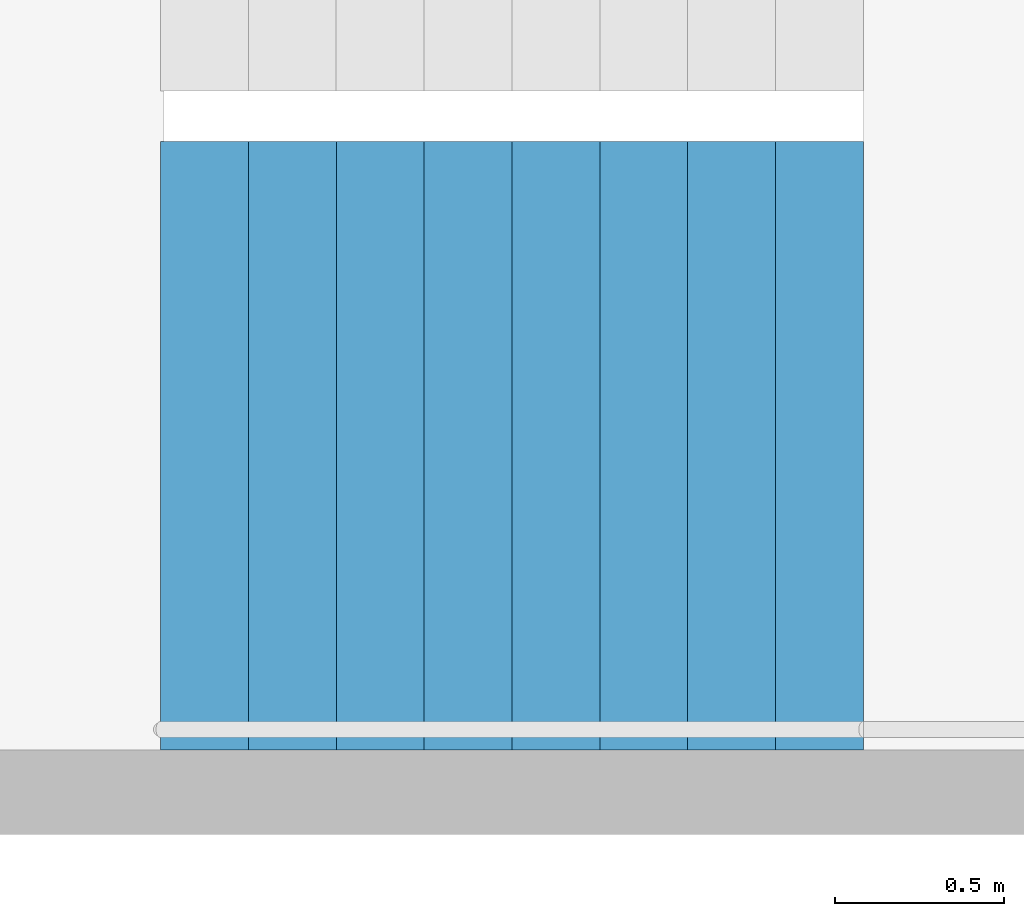
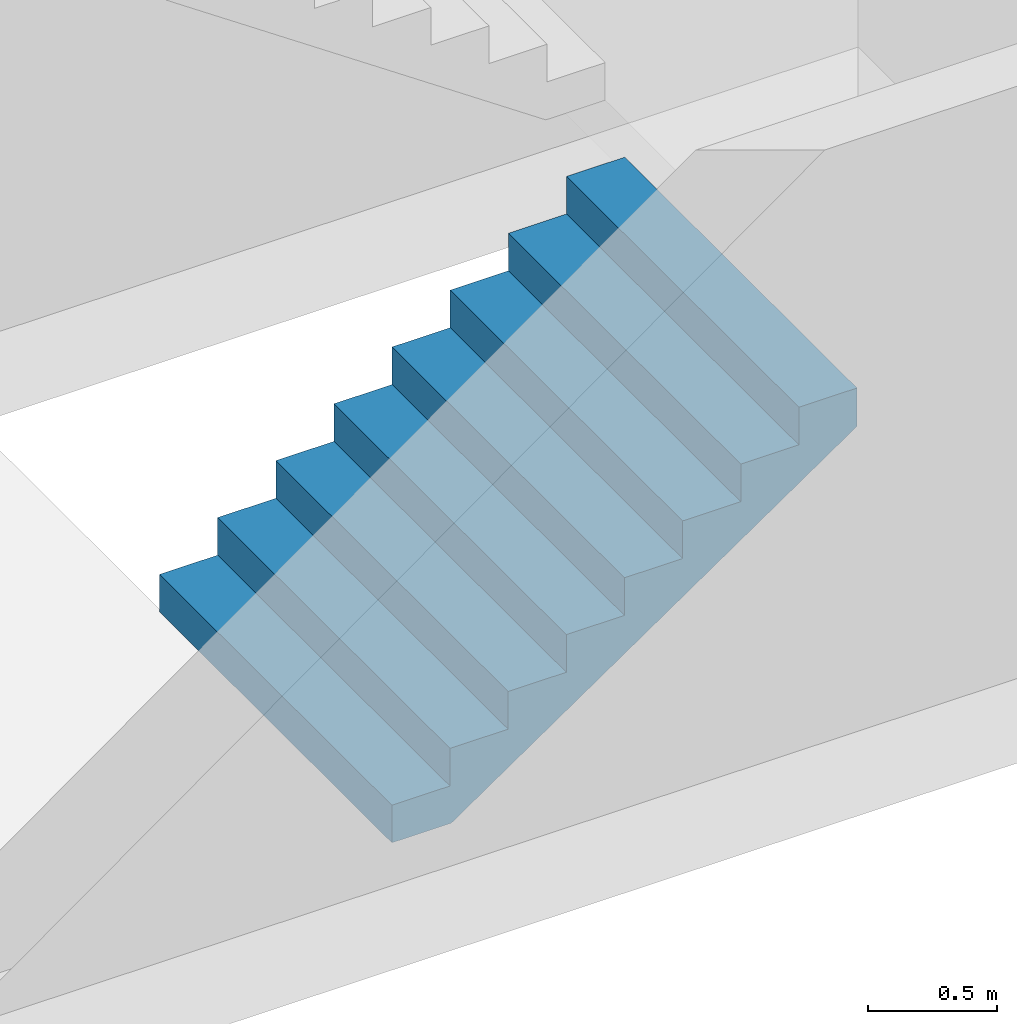
# One storey, part 23 of 29: 1 stair flight, 1 element without a shape of its own.
"""IFC4 building model written with IfcOpenShell, lengths in metres."""

import ifcopenshell
import ifcopenshell.guid

model = None  # the IFC model being written
_history = None  # IfcOwnerHistory: only IFC2X3 demands one
_inside = {}  # id of a spatial element -> (the spatial element, [elements in it])
_under = {}  # id of a project, library or spatial element -> (it, [spatial elements below it])
_declared = {}  # id of a project -> (the project, [libraries it declares])
_typed = {}  # id of a type object -> (the type object, [elements of that type])
_made_of = {}  # id of a material, layer set ... -> (it, [elements and type objects made of it])


def new_model(schema):
    """Start an empty IFC model of exactly this schema.

    Asked for "IFC4X3", IfcOpenShell would pick the latest addendum, in which some entities
    have other attributes; the version numbers below select the first issue.
    IFC2X3 requires an IfcOwnerHistory on every rooted entity: one is made here for all.
    """
    global model, _history
    if schema == "IFC4X3":
        model = ifcopenshell.file(schema_version=(4, 3, 0, 0))
    else:
        model = ifcopenshell.file(schema=schema)
    _inside.clear()
    _under.clear()
    _declared.clear()
    _typed.clear()
    _made_of.clear()
    _history = None
    if model.schema == "IFC2X3":
        org = make("IfcOrganization", Name="unknown")
        user = make(
            "IfcPersonAndOrganization",
            ThePerson=make("IfcPerson", FamilyName="unknown"),
            TheOrganization=org,
        )
        app = make(
            "IfcApplication",
            ApplicationDeveloper=org,
            Version="unknown",
            ApplicationFullName="unknown",
            ApplicationIdentifier="unknown",
        )
        _history = make(
            "IfcOwnerHistory",
            OwningUser=user,
            OwningApplication=app,
            ChangeAction="ADDED",
            CreationDate=0,
        )
    return model


def make(cls, **values):
    """One entity of the class cls with the attributes given. An attribute that is None is left unset."""
    return model.create_entity(
        cls, **{name: value for name, value in values.items() if value is not None}
    )


def rooted(cls, **values):
    """An entity with a GlobalId (a new one), such as an element, a storey or a relation."""
    return make(cls, GlobalId=ifcopenshell.guid.new(), OwnerHistory=_history, **values)


def si_unit(unit_type, name, prefix=None):
    """IfcSIUnit, for example si_unit("LENGTHUNIT", "METRE", prefix="MILLI")."""
    return make("IfcSIUnit", UnitType=unit_type, Prefix=prefix, Name=name)


def assignment(units):
    """IfcUnitAssignment: the units of a project."""
    return None if units is None else make("IfcUnitAssignment", Units=units)


def point(xyz):
    """IfcCartesianPoint."""
    return None if xyz is None else make("IfcCartesianPoint", Coordinates=xyz)


def direction(xyz):
    """IfcDirection."""
    return None if xyz is None else make("IfcDirection", DirectionRatios=xyz)


def frame(location, z_axis=None, x_axis=None):
    """IfcAxis2Placement3D, a coordinate frame: its origin and axes. An axis left out is left unset."""
    return make(
        "IfcAxis2Placement3D",
        Location=point(location),
        Axis=direction(z_axis),
        RefDirection=direction(x_axis),
    )


def origin():
    """The frame at (0, 0, 0) with its axes left unset."""
    return frame((0.0, 0.0, 0.0))


def place(relative_to, where):
    """IfcLocalPlacement: puts the frame where relative to a parent placement (None: the world)."""
    return make(
        "IfcLocalPlacement", PlacementRelTo=relative_to, RelativePlacement=where
    )


def context(
    kind, dimensions, precision=None, world=None, true_north=None, identifier=None
):
    """IfcGeometricRepresentationContext, for example the 3D "Model" context."""
    return make(
        "IfcGeometricRepresentationContext",
        ContextIdentifier=identifier,
        ContextType=kind,
        CoordinateSpaceDimension=dimensions,
        Precision=precision,
        WorldCoordinateSystem=world,
        TrueNorth=true_north,
    )


def subcontext(parent, identifier, kind, view, scale=None):
    """IfcGeometricRepresentationSubContext, for example "Body" below "Model"."""
    return make(
        "IfcGeometricRepresentationSubContext",
        ContextIdentifier=identifier,
        ContextType=kind,
        ParentContext=parent,
        TargetScale=scale,
        TargetView=view,
    )


def project(units=None, contexts=None):
    """IfcProject with its units and contexts."""
    return rooted(
        "IfcProject",
        Name="project",
        RepresentationContexts=contexts,
        UnitsInContext=assignment(units),
    )


def spatial(cls, under=None, at=None, **own):
    """A site, building, storey or space (cls), placed at a placement, below another one or the project."""
    s = rooted(cls, ObjectPlacement=at, **own)
    if under is not None:
        _under.setdefault(under.id(), (under, []))[1].append(s)
    return s


def point_list(points):
    """IfcCartesianPointList2D or 3D."""
    cls = (
        "IfcCartesianPointList2D" if len(points[0]) == 2 else "IfcCartesianPointList3D"
    )
    return make(cls, CoordList=points)


def triangles(points, corners, closed=None, point_numbers=None):
    """IfcTriangulatedFaceSet: each triangle names its three corners, points numbered from 1."""
    return make(
        "IfcTriangulatedFaceSet",
        Coordinates=point_list(points),
        Closed=closed,
        CoordIndex=corners,
        PnIndex=point_numbers,
    )


def shape(context_of_items, identifier, shape_type, items):
    """IfcShapeRepresentation: the items that make up one representation, for example the "Body"."""
    return make(
        "IfcShapeRepresentation",
        ContextOfItems=context_of_items,
        RepresentationIdentifier=identifier,
        RepresentationType=shape_type,
        Items=items,
    )


def material(Name=None, Category=None):
    """IfcMaterial."""
    return make("IfcMaterial", Name=Name, Category=Category)


def made_of(thing, what):
    """Note that an element or type object is made of a material, layer set ...; save() writes the relation."""
    if what is not None:
        _made_of.setdefault(what.id(), (what, []))[1].append(thing)
    return thing


def type_object(cls, material=None, **own):
    """A type object (cls), such as IfcWallType, which elements share."""
    return made_of(rooted(cls, **own), material)


def element(
    cls,
    number,
    at=None,
    inside=None,
    cuts=None,
    type_object=None,
    material=None,
    context=None,
    identifier="Body",
    shape_type=None,
    held_by="IfcProductDefinitionShape",
    body=None,
    shapes=None,
    **own,
):
    """One element of the class cls, such as IfcWall. Its Tag is "e" and its number.

    at: its placement. inside: the storey or other place that contains it. cuts: it is an
    opening in that element (IfcRelVoidsElement). A single representation is given by context,
    identifier, shape_type and body (its items); several are given by shapes. held_by: the class
    of the entity that holds the representations. save() writes the other relations.
    """
    e = rooted(cls, Tag="e%d" % number, ObjectPlacement=at, **own)
    if body is not None:
        shapes = [shape(context, identifier, shape_type, body)]
    if shapes is not None:
        e.Representation = make(held_by, Representations=shapes)
    if inside is not None:
        _inside.setdefault(inside.id(), (inside, []))[1].append(e)
    if cuts is not None:
        rooted(
            "IfcRelVoidsElement", RelatingBuildingElement=cuts, RelatedOpeningElement=e
        )
    if type_object is not None:
        _typed.setdefault(type_object.id(), (type_object, []))[1].append(e)
    return made_of(e, material)


def aggregate(whole, parts):
    """IfcRelAggregates: a whole, such as a stair, and the parts it consists of."""
    return rooted("IfcRelAggregates", RelatingObject=whole, RelatedObjects=parts)


def save(model, path):
    """Write the relations noted so far, then the file.

    IfcRelAggregates (storeys below a building ...), IfcRelContainedInSpatialStructure (elements
    in a storey), IfcRelDefinesByType, IfcRelAssociatesMaterial and IfcRelDeclares: one each for
    every whole, place, type object, material and project.
    """
    for whole, parts in _under.values():
        aggregate(whole, parts)
    for where, things in _inside.values():
        rooted(
            "IfcRelContainedInSpatialStructure",
            RelatedElements=things,
            RelatingStructure=where,
        )
    for kind, things in _typed.values():
        rooted("IfcRelDefinesByType", RelatedObjects=things, RelatingType=kind)
    for what, things in _made_of.values():
        rooted("IfcRelAssociatesMaterial", RelatedObjects=things, RelatingMaterial=what)
    for by, libraries in _declared.values():
        rooted("IfcRelDeclares", RelatingContext=by, RelatedDefinitions=libraries)
    model.write(path)


model = new_model("IFC4")

# Units and contexts
model_context = context("Model", 3, precision=1e-05, world=origin(), true_north=direction((0.0, 1.0)))
body_context = subcontext(model_context, "Body", "Model", "MODEL_VIEW")
ifc_project = project(units=[si_unit("LENGTHUNIT", "METRE"), si_unit("AREAUNIT", "SQUARE_METRE"), si_unit("VOLUMEUNIT", "CUBIC_METRE"), si_unit("PLANEANGLEUNIT", "RADIAN"), si_unit("MASSUNIT", "GRAM", prefix="KILO")], contexts=[model_context])

# Site, building, storey
site_placement = place(None, origin())
site = spatial("IfcSite", under=ifc_project, at=site_placement, CompositionType="ELEMENT")
building_placement = place(site_placement, origin())
building = spatial("IfcBuilding", under=site, at=building_placement, Name="Hakoniwa Tower and Hamabe Station Hall", CompositionType="ELEMENT")
storey_placement = place(building_placement, frame((0.0, 0.0, 55.0)))
storey = spatial("IfcBuildingStorey", under=building, at=storey_placement, Name="L15", CompositionType="ELEMENT", Elevation=55.0)

# Stair, stair flight
ifc_material_1 = material(Name="Concrete C40", Category="concrete")
stair_type = type_object("IfcStairType", Name="ESCAPE STAIR 1800", PredefinedType="HALF_TURN_STAIR", material=ifc_material_1)
stair_placement = place(storey_placement, origin())
stair = element("IfcStair", 1, at=stair_placement, inside=storey, type_object=stair_type, Name="Escape stair ST-1 L15", PredefinedType="HALF_TURN_STAIR")
ifc_material_2 = material(Name="Concrete C40", Category="concrete")
stair_flight_type = type_object("IfcStairFlightType", Name="STAIR FLIGHT 1800", PredefinedType="STRAIGHT", material=ifc_material_2)
stair_flight_placement = place(storey_placement, frame((-24.39990234375, 4.64990234375, 0.0), z_axis=(0.0, 0.0, 1.0), x_axis=(1.0, 0.0, 0.0)))
stair_flight = element("IfcStairFlight", 2, at=stair_flight_placement, type_object=stair_flight_type, Name="ST-1 flight 1", NumberOfRisers=9, NumberOfTreads=8, PredefinedType="STRAIGHT", RiserHeight=0.177777778, TreadLength=0.26, context=body_context, shape_type="Tessellation", body=[
    triangles([(0.0, 0.89990234375, 0.0), (0.260009765625, 0.89990234375, 0.0), (0.265625, 0.89990234375, 0.0), (0.52001953125, 0.89990234375, 0.174072265625), (0.780029296875, 0.89990234375, 0.351806640625), (1.0400390625, 0.89990234375, 0.529541015625), (1.300048828125, 0.89990234375, 0.707275390625), (1.56005859375, 0.89990234375, 0.885009765625), (1.820068359375, 0.89990234375, 1.062744140625), (2.080078125, 0.89990234375, 1.24072265625), (2.080078125, 0.89990234375, 1.422119140625), (1.820068359375, 0.89990234375, 1.422119140625), (1.820068359375, 0.89990234375, 1.244384765625), (1.56005859375, 0.89990234375, 1.244384765625), (1.56005859375, 0.89990234375, 1.066650390625), (1.300048828125, 0.89990234375, 1.066650390625), (1.300048828125, 0.89990234375, 0.888916015625), (1.0400390625, 0.89990234375, 0.888916015625), (1.0400390625, 0.89990234375, 0.711181640625), (0.780029296875, 0.89990234375, 0.711181640625), (0.780029296875, 0.89990234375, 0.533447265625), (0.52001953125, 0.89990234375, 0.533447265625), (0.52001953125, 0.89990234375, 0.35546875), (0.265625, 0.89990234375, 0.35546875), (0.260009765625, 0.89990234375, 0.35546875), (0.260009765625, 0.89990234375, 0.177734375), (0.0, 0.89990234375, 0.177734375), (0.0, 0.06005859375, 0.0), (0.260009765625, 0.06005859375, 0.0), (0.265625, 0.06005859375, 0.0), (0.52001953125, 0.06005859375, 0.174072265625), (0.780029296875, 0.06005859375, 0.351806640625), (1.0400390625, 0.06005859375, 0.529541015625), (1.300048828125, 0.06005859375, 0.707275390625), (1.56005859375, 0.06005859375, 0.885009765625), (1.820068359375, 0.06005859375, 1.062744140625), (2.080078125, 0.06005859375, 1.24072265625), (2.080078125, 0.06005859375, 1.422119140625), (1.820068359375, 0.06005859375, 1.422119140625), (1.820068359375, 0.06005859375, 1.244384765625), (1.56005859375, 0.06005859375, 1.244384765625), (1.56005859375, 0.06005859375, 1.066650390625), (1.300048828125, 0.06005859375, 1.066650390625), (1.300048828125, 0.06005859375, 0.888916015625), (1.0400390625, 0.06005859375, 0.888916015625), (1.0400390625, 0.06005859375, 0.711181640625), (0.780029296875, 0.06005859375, 0.711181640625), (0.780029296875, 0.06005859375, 0.533447265625), (0.52001953125, 0.06005859375, 0.533447265625), (0.52001953125, 0.06005859375, 0.35546875), (0.265625, 0.06005859375, 0.35546875), (0.260009765625, 0.06005859375, 0.35546875), (0.260009765625, 0.06005859375, 0.177734375), (0.0, 0.06005859375, 0.177734375), (0.0, 0.04296875, 0.0), (0.260009765625, 0.04296875, 0.0), (0.265625, 0.04296875, 0.0), (0.52001953125, 0.04296875, 0.174072265625), (0.780029296875, 0.04296875, 0.351806640625), (1.0400390625, 0.04296875, 0.529541015625), (1.300048828125, 0.04296875, 0.707275390625), (1.56005859375, 0.04296875, 0.885009765625), (1.820068359375, 0.04296875, 1.062744140625), (2.080078125, 0.04296875, 1.24072265625), (2.080078125, 0.04296875, 1.422119140625), (1.820068359375, 0.04296875, 1.422119140625), (1.820068359375, 0.04296875, 1.244384765625), (1.56005859375, 0.04296875, 1.244384765625), (1.56005859375, 0.04296875, 1.066650390625), (1.300048828125, 0.04296875, 1.066650390625), (1.300048828125, 0.04296875, 0.888916015625), (1.0400390625, 0.04296875, 0.888916015625), (1.0400390625, 0.04296875, 0.711181640625), (0.780029296875, 0.04296875, 0.711181640625), (0.780029296875, 0.04296875, 0.533447265625), (0.52001953125, 0.04296875, 0.533447265625), (0.52001953125, 0.04296875, 0.35546875), (0.265625, 0.04296875, 0.35546875), (0.260009765625, 0.04296875, 0.35546875), (0.260009765625, 0.04296875, 0.177734375), (0.0, 0.04296875, 0.177734375), (0.0, 0.025634765625, 0.0), (0.260009765625, 0.025634765625, 0.0), (0.265625, 0.025634765625, 0.0), (0.52001953125, 0.025634765625, 0.174072265625), (0.780029296875, 0.025634765625, 0.351806640625), (1.0400390625, 0.025634765625, 0.529541015625), (1.300048828125, 0.025634765625, 0.707275390625), (1.56005859375, 0.025634765625, 0.885009765625), (1.820068359375, 0.025634765625, 1.062744140625), (2.080078125, 0.025634765625, 1.24072265625), (2.080078125, 0.025634765625, 1.422119140625), (1.820068359375, 0.025634765625, 1.422119140625), (1.820068359375, 0.025634765625, 1.244384765625), (1.56005859375, 0.025634765625, 1.244384765625), (1.56005859375, 0.025634765625, 1.066650390625), (1.300048828125, 0.025634765625, 1.066650390625), (1.300048828125, 0.025634765625, 0.888916015625), (1.0400390625, 0.025634765625, 0.888916015625), (1.0400390625, 0.025634765625, 0.711181640625), (0.780029296875, 0.025634765625, 0.711181640625), (0.780029296875, 0.025634765625, 0.533447265625), (0.52001953125, 0.025634765625, 0.533447265625), (0.52001953125, 0.025634765625, 0.35546875), (0.265625, 0.025634765625, 0.35546875), (0.260009765625, 0.025634765625, 0.35546875), (0.260009765625, 0.025634765625, 0.177734375), (0.0, 0.025634765625, 0.177734375), (0.0, 0.008544921875, 0.0), (0.260009765625, 0.008544921875, 0.0), (0.265625, 0.008544921875, 0.0), (0.52001953125, 0.008544921875, 0.174072265625), (0.780029296875, 0.008544921875, 0.351806640625), (1.0400390625, 0.008544921875, 0.529541015625), (1.300048828125, 0.008544921875, 0.707275390625), (1.56005859375, 0.008544921875, 0.885009765625), (1.820068359375, 0.008544921875, 1.062744140625), (2.080078125, 0.008544921875, 1.24072265625), (2.080078125, 0.008544921875, 1.422119140625), (1.820068359375, 0.008544921875, 1.422119140625), (1.820068359375, 0.008544921875, 1.244384765625), (1.56005859375, 0.008544921875, 1.244384765625), (1.56005859375, 0.008544921875, 1.066650390625), (1.300048828125, 0.008544921875, 1.066650390625), (1.300048828125, 0.008544921875, 0.888916015625), (1.0400390625, 0.008544921875, 0.888916015625), (1.0400390625, 0.008544921875, 0.711181640625), (0.780029296875, 0.008544921875, 0.711181640625), (0.780029296875, 0.008544921875, 0.533447265625), (0.52001953125, 0.008544921875, 0.533447265625), (0.52001953125, 0.008544921875, 0.35546875), (0.265625, 0.008544921875, 0.35546875), (0.260009765625, 0.008544921875, 0.35546875), (0.260009765625, 0.008544921875, 0.177734375), (0.0, 0.008544921875, 0.177734375), (0.0, -0.008544921875, 0.0), (0.260009765625, -0.008544921875, 0.0), (0.265625, -0.008544921875, 0.0), (0.52001953125, -0.008544921875, 0.174072265625), (0.780029296875, -0.008544921875, 0.351806640625), (1.0400390625, -0.008544921875, 0.529541015625), (1.300048828125, -0.008544921875, 0.707275390625), (1.56005859375, -0.008544921875, 0.885009765625), (1.820068359375, -0.008544921875, 1.062744140625), (2.080078125, -0.008544921875, 1.24072265625), (2.080078125, -0.008544921875, 1.422119140625), (1.820068359375, -0.008544921875, 1.422119140625), (1.820068359375, -0.008544921875, 1.244384765625), (1.56005859375, -0.008544921875, 1.244384765625), (1.56005859375, -0.008544921875, 1.066650390625), (1.300048828125, -0.008544921875, 1.066650390625), (1.300048828125, -0.008544921875, 0.888916015625), (1.0400390625, -0.008544921875, 0.888916015625), (1.0400390625, -0.008544921875, 0.711181640625), (0.780029296875, -0.008544921875, 0.711181640625), (0.780029296875, -0.008544921875, 0.533447265625), (0.52001953125, -0.008544921875, 0.533447265625), (0.52001953125, -0.008544921875, 0.35546875), (0.265625, -0.008544921875, 0.35546875), (0.260009765625, -0.008544921875, 0.35546875), (0.260009765625, -0.008544921875, 0.177734375), (0.0, -0.008544921875, 0.177734375), (0.0, -0.025634765625, 0.0), (0.260009765625, -0.025634765625, 0.0), (0.265625, -0.025634765625, 0.0), (0.52001953125, -0.025634765625, 0.174072265625), (0.780029296875, -0.025634765625, 0.351806640625), (1.0400390625, -0.025634765625, 0.529541015625), (1.300048828125, -0.025634765625, 0.707275390625), (1.56005859375, -0.025634765625, 0.885009765625), (1.820068359375, -0.025634765625, 1.062744140625), (2.080078125, -0.025634765625, 1.24072265625), (2.080078125, -0.025634765625, 1.422119140625), (1.820068359375, -0.025634765625, 1.422119140625), (1.820068359375, -0.025634765625, 1.244384765625), (1.56005859375, -0.025634765625, 1.244384765625), (1.56005859375, -0.025634765625, 1.066650390625), (1.300048828125, -0.025634765625, 1.066650390625), (1.300048828125, -0.025634765625, 0.888916015625), (1.0400390625, -0.025634765625, 0.888916015625), (1.0400390625, -0.025634765625, 0.711181640625), (0.780029296875, -0.025634765625, 0.711181640625), (0.780029296875, -0.025634765625, 0.533447265625), (0.52001953125, -0.025634765625, 0.533447265625), (0.52001953125, -0.025634765625, 0.35546875), (0.265625, -0.025634765625, 0.35546875), (0.260009765625, -0.025634765625, 0.35546875), (0.260009765625, -0.025634765625, 0.177734375), (0.0, -0.025634765625, 0.177734375), (0.0, -0.04296875, 0.0), (0.260009765625, -0.04296875, 0.0), (0.265625, -0.04296875, 0.0), (0.52001953125, -0.04296875, 0.174072265625), (0.780029296875, -0.04296875, 0.351806640625), (1.0400390625, -0.04296875, 0.529541015625), (1.300048828125, -0.04296875, 0.707275390625), (1.56005859375, -0.04296875, 0.885009765625), (1.820068359375, -0.04296875, 1.062744140625), (2.080078125, -0.04296875, 1.24072265625), (2.080078125, -0.04296875, 1.422119140625), (1.820068359375, -0.04296875, 1.422119140625), (1.820068359375, -0.04296875, 1.244384765625), (1.56005859375, -0.04296875, 1.244384765625), (1.56005859375, -0.04296875, 1.066650390625), (1.300048828125, -0.04296875, 1.066650390625), (1.300048828125, -0.04296875, 0.888916015625), (1.0400390625, -0.04296875, 0.888916015625), (1.0400390625, -0.04296875, 0.711181640625), (0.780029296875, -0.04296875, 0.711181640625), (0.780029296875, -0.04296875, 0.533447265625), (0.52001953125, -0.04296875, 0.533447265625), (0.52001953125, -0.04296875, 0.35546875), (0.265625, -0.04296875, 0.35546875), (0.260009765625, -0.04296875, 0.35546875), (0.260009765625, -0.04296875, 0.177734375), (0.0, -0.04296875, 0.177734375), (0.0, -0.06005859375, 0.0), (0.260009765625, -0.06005859375, 0.0), (0.265625, -0.06005859375, 0.0), (0.52001953125, -0.06005859375, 0.174072265625), (0.780029296875, -0.06005859375, 0.351806640625), (1.0400390625, -0.06005859375, 0.529541015625), (1.300048828125, -0.06005859375, 0.707275390625), (1.56005859375, -0.06005859375, 0.885009765625), (1.820068359375, -0.06005859375, 1.062744140625), (2.080078125, -0.06005859375, 1.24072265625), (2.080078125, -0.06005859375, 1.422119140625), (1.820068359375, -0.06005859375, 1.422119140625), (1.820068359375, -0.06005859375, 1.244384765625), (1.56005859375, -0.06005859375, 1.244384765625), (1.56005859375, -0.06005859375, 1.066650390625), (1.300048828125, -0.06005859375, 1.066650390625), (1.300048828125, -0.06005859375, 0.888916015625), (1.0400390625, -0.06005859375, 0.888916015625), (1.0400390625, -0.06005859375, 0.711181640625), (0.780029296875, -0.06005859375, 0.711181640625), (0.780029296875, -0.06005859375, 0.533447265625), (0.52001953125, -0.06005859375, 0.533447265625), (0.52001953125, -0.06005859375, 0.35546875), (0.265625, -0.06005859375, 0.35546875), (0.260009765625, -0.06005859375, 0.35546875), (0.260009765625, -0.06005859375, 0.177734375), (0.0, -0.06005859375, 0.177734375), (0.0, -0.89990234375, 0.0), (0.260009765625, -0.89990234375, 0.0), (0.265625, -0.89990234375, 0.0), (0.52001953125, -0.89990234375, 0.174072265625), (0.780029296875, -0.89990234375, 0.351806640625), (1.0400390625, -0.89990234375, 0.529541015625), (1.300048828125, -0.89990234375, 0.707275390625), (1.56005859375, -0.89990234375, 0.885009765625), (1.820068359375, -0.89990234375, 1.062744140625), (2.080078125, -0.89990234375, 1.24072265625), (2.080078125, -0.89990234375, 1.422119140625), (1.820068359375, -0.89990234375, 1.422119140625), (1.820068359375, -0.89990234375, 1.244384765625), (1.56005859375, -0.89990234375, 1.244384765625), (1.56005859375, -0.89990234375, 1.066650390625), (1.300048828125, -0.89990234375, 1.066650390625), (1.300048828125, -0.89990234375, 0.888916015625), (1.0400390625, -0.89990234375, 0.888916015625), (1.0400390625, -0.89990234375, 0.711181640625), (0.780029296875, -0.89990234375, 0.711181640625), (0.780029296875, -0.89990234375, 0.533447265625), (0.52001953125, -0.89990234375, 0.533447265625), (0.52001953125, -0.89990234375, 0.35546875), (0.265625, -0.89990234375, 0.35546875), (0.260009765625, -0.89990234375, 0.35546875), (0.260009765625, -0.89990234375, 0.177734375), (0.0, -0.89990234375, 0.177734375)], [[2, 27, 26], [245, 269, 270], [2, 1, 27], [245, 270, 244], [3, 25, 24], [246, 267, 268], [3, 26, 25], [246, 268, 269], [3, 2, 26], [246, 269, 245], [4, 24, 23], [247, 266, 267], [4, 3, 24], [247, 267, 246], [5, 22, 21], [248, 264, 265], [5, 23, 22], [248, 265, 266], [5, 4, 23], [248, 266, 247], [6, 20, 19], [249, 262, 263], [6, 21, 20], [249, 263, 264], [6, 5, 21], [249, 264, 248], [7, 18, 17], [250, 260, 261], [7, 19, 18], [250, 261, 262], [7, 6, 19], [250, 262, 249], [8, 16, 15], [251, 258, 259], [8, 17, 16], [251, 259, 260], [8, 7, 17], [251, 260, 250], [9, 14, 13], [252, 256, 257], [9, 15, 14], [252, 257, 258], [9, 8, 15], [252, 258, 251], [10, 12, 11], [253, 254, 255], [10, 13, 12], [253, 255, 256], [10, 9, 13], [253, 256, 252], [1, 2, 29], [1, 29, 28], [28, 29, 56], [28, 56, 55], [55, 56, 83], [55, 83, 82], [82, 83, 110], [82, 110, 109], [109, 110, 137], [109, 137, 136], [136, 137, 164], [136, 164, 163], [163, 164, 191], [163, 191, 190], [190, 191, 218], [190, 218, 217], [217, 218, 245], [217, 245, 244], [2, 3, 30], [2, 30, 29], [29, 30, 57], [29, 57, 56], [56, 57, 84], [56, 84, 83], [83, 84, 111], [83, 111, 110], [110, 111, 138], [110, 138, 137], [137, 138, 165], [137, 165, 164], [164, 165, 192], [164, 192, 191], [191, 192, 219], [191, 219, 218], [218, 219, 246], [218, 246, 245], [3, 4, 31], [3, 31, 30], [30, 31, 58], [30, 58, 57], [57, 58, 85], [57, 85, 84], [84, 85, 112], [84, 112, 111], [111, 112, 139], [111, 139, 138], [138, 139, 166], [138, 166, 165], [165, 166, 193], [165, 193, 192], [192, 193, 220], [192, 220, 219], [219, 220, 247], [219, 247, 246], [4, 5, 32], [4, 32, 31], [31, 32, 59], [31, 59, 58], [58, 59, 86], [58, 86, 85], [85, 86, 113], [85, 113, 112], [112, 113, 140], [112, 140, 139], [139, 140, 167], [139, 167, 166], [166, 167, 194], [166, 194, 193], [193, 194, 221], [193, 221, 220], [220, 221, 248], [220, 248, 247], [5, 6, 33], [5, 33, 32], [32, 33, 60], [32, 60, 59], [59, 60, 87], [59, 87, 86], [86, 87, 114], [86, 114, 113], [113, 114, 141], [113, 141, 140], [140, 141, 168], [140, 168, 167], [167, 168, 195], [167, 195, 194], [194, 195, 222], [194, 222, 221], [221, 222, 249], [221, 249, 248], [6, 7, 34], [6, 34, 33], [33, 34, 61], [33, 61, 60], [60, 61, 88], [60, 88, 87], [87, 88, 115], [87, 115, 114], [114, 115, 142], [114, 142, 141], [141, 142, 169], [141, 169, 168], [168, 169, 196], [168, 196, 195], [195, 196, 223], [195, 223, 222], [222, 223, 250], [222, 250, 249], [7, 8, 35], [7, 35, 34], [34, 35, 62], [34, 62, 61], [61, 62, 89], [61, 89, 88], [88, 89, 116], [88, 116, 115], [115, 116, 143], [115, 143, 142], [142, 143, 170], [142, 170, 169], [169, 170, 197], [169, 197, 196], [196, 197, 224], [196, 224, 223], [223, 224, 251], [223, 251, 250], [8, 9, 36], [8, 36, 35], [35, 36, 63], [35, 63, 62], [62, 63, 90], [62, 90, 89], [89, 90, 117], [89, 117, 116], [116, 117, 144], [116, 144, 143], [143, 144, 171], [143, 171, 170], [170, 171, 198], [170, 198, 197], [197, 198, 225], [197, 225, 224], [224, 225, 252], [224, 252, 251], [9, 10, 37], [9, 37, 36], [36, 37, 64], [36, 64, 63], [63, 64, 91], [63, 91, 90], [90, 91, 118], [90, 118, 117], [117, 118, 145], [117, 145, 144], [144, 145, 172], [144, 172, 171], [171, 172, 199], [171, 199, 198], [198, 199, 226], [198, 226, 225], [225, 226, 253], [225, 253, 252], [10, 11, 38], [10, 38, 37], [37, 38, 65], [37, 65, 64], [64, 65, 92], [64, 92, 91], [91, 92, 119], [91, 119, 118], [118, 119, 146], [118, 146, 145], [145, 146, 173], [145, 173, 172], [172, 173, 200], [172, 200, 199], [199, 200, 227], [199, 227, 226], [226, 227, 254], [226, 254, 253], [11, 12, 39], [11, 39, 38], [38, 39, 66], [38, 66, 65], [65, 66, 93], [65, 93, 92], [92, 93, 120], [92, 120, 119], [119, 120, 147], [119, 147, 146], [146, 147, 174], [146, 174, 173], [173, 174, 201], [173, 201, 200], [200, 201, 228], [200, 228, 227], [227, 228, 255], [227, 255, 254], [12, 13, 40], [12, 40, 39], [39, 40, 67], [39, 67, 66], [66, 67, 94], [66, 94, 93], [93, 94, 121], [93, 121, 120], [120, 121, 148], [120, 148, 147], [147, 148, 175], [147, 175, 174], [174, 175, 202], [174, 202, 201], [201, 202, 229], [201, 229, 228], [228, 229, 256], [228, 256, 255], [13, 14, 41], [13, 41, 40], [40, 41, 68], [40, 68, 67], [67, 68, 95], [67, 95, 94], [94, 95, 122], [94, 122, 121], [121, 122, 149], [121, 149, 148], [148, 149, 176], [148, 176, 175], [175, 176, 203], [175, 203, 202], [202, 203, 230], [202, 230, 229], [229, 230, 257], [229, 257, 256], [14, 15, 42], [14, 42, 41], [41, 42, 69], [41, 69, 68], [68, 69, 96], [68, 96, 95], [95, 96, 123], [95, 123, 122], [122, 123, 150], [122, 150, 149], [149, 150, 177], [149, 177, 176], [176, 177, 204], [176, 204, 203], [203, 204, 231], [203, 231, 230], [230, 231, 258], [230, 258, 257], [15, 16, 43], [15, 43, 42], [42, 43, 70], [42, 70, 69], [69, 70, 97], [69, 97, 96], [96, 97, 124], [96, 124, 123], [123, 124, 151], [123, 151, 150], [150, 151, 178], [150, 178, 177], [177, 178, 205], [177, 205, 204], [204, 205, 232], [204, 232, 231], [231, 232, 259], [231, 259, 258], [16, 17, 44], [16, 44, 43], [43, 44, 71], [43, 71, 70], [70, 71, 98], [70, 98, 97], [97, 98, 125], [97, 125, 124], [124, 125, 152], [124, 152, 151], [151, 152, 179], [151, 179, 178], [178, 179, 206], [178, 206, 205], [205, 206, 233], [205, 233, 232], [232, 233, 260], [232, 260, 259], [17, 18, 45], [17, 45, 44], [44, 45, 72], [44, 72, 71], [71, 72, 99], [71, 99, 98], [98, 99, 126], [98, 126, 125], [125, 126, 153], [125, 153, 152], [152, 153, 180], [152, 180, 179], [179, 180, 207], [179, 207, 206], [206, 207, 234], [206, 234, 233], [233, 234, 261], [233, 261, 260], [18, 19, 46], [18, 46, 45], [45, 46, 73], [45, 73, 72], [72, 73, 100], [72, 100, 99], [99, 100, 127], [99, 127, 126], [126, 127, 154], [126, 154, 153], [153, 154, 181], [153, 181, 180], [180, 181, 208], [180, 208, 207], [207, 208, 235], [207, 235, 234], [234, 235, 262], [234, 262, 261], [19, 20, 47], [19, 47, 46], [46, 47, 74], [46, 74, 73], [73, 74, 101], [73, 101, 100], [100, 101, 128], [100, 128, 127], [127, 128, 155], [127, 155, 154], [154, 155, 182], [154, 182, 181], [181, 182, 209], [181, 209, 208], [208, 209, 236], [208, 236, 235], [235, 236, 263], [235, 263, 262], [20, 21, 48], [20, 48, 47], [47, 48, 75], [47, 75, 74], [74, 75, 102], [74, 102, 101], [101, 102, 129], [101, 129, 128], [128, 129, 156], [128, 156, 155], [155, 156, 183], [155, 183, 182], [182, 183, 210], [182, 210, 209], [209, 210, 237], [209, 237, 236], [236, 237, 264], [236, 264, 263], [21, 22, 49], [21, 49, 48], [48, 49, 76], [48, 76, 75], [75, 76, 103], [75, 103, 102], [102, 103, 130], [102, 130, 129], [129, 130, 157], [129, 157, 156], [156, 157, 184], [156, 184, 183], [183, 184, 211], [183, 211, 210], [210, 211, 238], [210, 238, 237], [237, 238, 265], [237, 265, 264], [22, 23, 50], [22, 50, 49], [49, 50, 77], [49, 77, 76], [76, 77, 104], [76, 104, 103], [103, 104, 131], [103, 131, 130], [130, 131, 158], [130, 158, 157], [157, 158, 185], [157, 185, 184], [184, 185, 212], [184, 212, 211], [211, 212, 239], [211, 239, 238], [238, 239, 266], [238, 266, 265], [23, 24, 51], [23, 51, 50], [50, 51, 78], [50, 78, 77], [77, 78, 105], [77, 105, 104], [104, 105, 132], [104, 132, 131], [131, 132, 159], [131, 159, 158], [158, 159, 186], [158, 186, 185], [185, 186, 213], [185, 213, 212], [212, 213, 240], [212, 240, 239], [239, 240, 267], [239, 267, 266], [24, 25, 52], [24, 52, 51], [51, 52, 79], [51, 79, 78], [78, 79, 106], [78, 106, 105], [105, 106, 133], [105, 133, 132], [132, 133, 160], [132, 160, 159], [159, 160, 187], [159, 187, 186], [186, 187, 214], [186, 214, 213], [213, 214, 241], [213, 241, 240], [240, 241, 268], [240, 268, 267], [25, 26, 53], [25, 53, 52], [52, 53, 80], [52, 80, 79], [79, 80, 107], [79, 107, 106], [106, 107, 134], [106, 134, 133], [133, 134, 161], [133, 161, 160], [160, 161, 188], [160, 188, 187], [187, 188, 215], [187, 215, 214], [214, 215, 242], [214, 242, 241], [241, 242, 269], [241, 269, 268], [26, 27, 54], [26, 54, 53], [53, 54, 81], [53, 81, 80], [80, 81, 108], [80, 108, 107], [107, 108, 135], [107, 135, 134], [134, 135, 162], [134, 162, 161], [161, 162, 189], [161, 189, 188], [188, 189, 216], [188, 216, 215], [215, 216, 243], [215, 243, 242], [242, 243, 270], [242, 270, 269], [27, 1, 28], [27, 28, 54], [54, 28, 55], [54, 55, 81], [81, 55, 82], [81, 82, 108], [108, 82, 109], [108, 109, 135], [135, 109, 136], [135, 136, 162], [162, 136, 163], [162, 163, 189], [189, 163, 190], [189, 190, 216], [216, 190, 217], [216, 217, 243], [243, 217, 244], [243, 244, 270]], closed=True),
])
aggregate(stair, [stair_flight])

save(model, "model.ifc")
